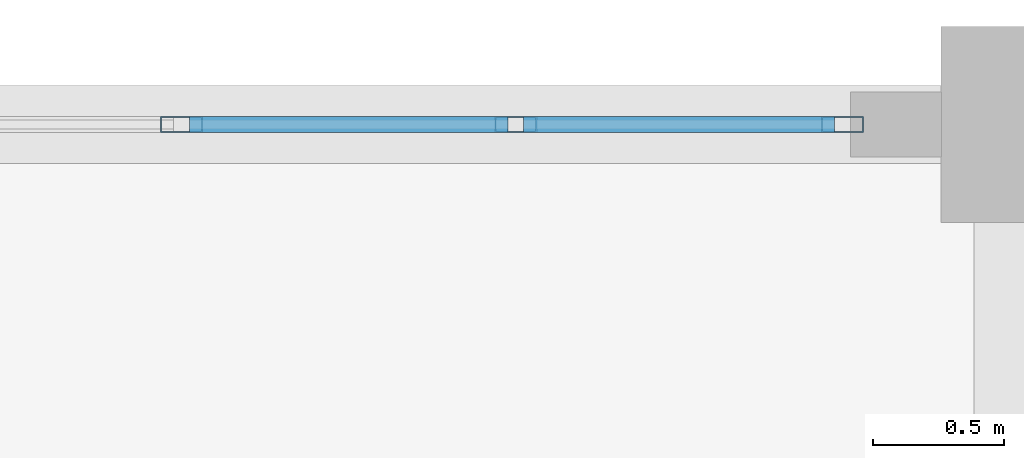
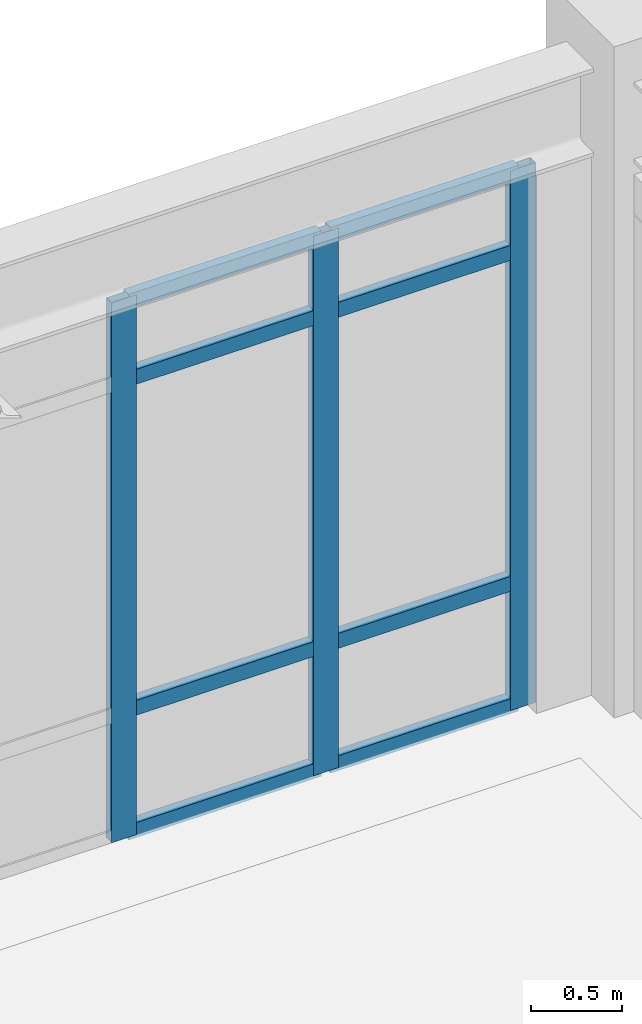
# One storey, part 32 of 61: 11 members, 1 element without a shape of its own.
"""IFC4 building model written with IfcOpenShell, lengths in metres."""

from ifc_helpers import new_model, si_unit, direction, frame, origin, origin_2d, place, context, subcontext, project, spatial, hollow_rectangle, extrude, material, layer, layer_set, material_profile, profile_set, type_object, element, aggregate, save


model = new_model("IFC4")

# Units and contexts
model_context = context("Model", 3, precision=1e-05, world=origin(), true_north=direction((0.0, 1.0)))
body_context = subcontext(model_context, "Body", "Model", "MODEL_VIEW")
ifc_project = project(units=[si_unit("LENGTHUNIT", "METRE"), si_unit("AREAUNIT", "SQUARE_METRE"), si_unit("VOLUMEUNIT", "CUBIC_METRE"), si_unit("PLANEANGLEUNIT", "RADIAN"), si_unit("MASSUNIT", "GRAM", prefix="KILO")], contexts=[model_context])

# Site, building, storey
site_placement = place(None, origin())
site = spatial("IfcSite", under=ifc_project, at=site_placement, CompositionType="ELEMENT")
building_placement = place(site_placement, origin())
building = spatial("IfcBuilding", under=site, at=building_placement, Name="Fikremerkos Civic Library", CompositionType="ELEMENT")
storey_placement = place(building_placement, frame((0.0, 0.0, 14.39990234375)))
storey = spatial("IfcBuildingStorey", under=building, at=storey_placement, Name="L03", CompositionType="ELEMENT", Elevation=14.39990234375)

# Curtain wall, members
ifc_material = material(Name="Anodized aluminium Frame", Category="aluminium")
ifc_layer = layer(ifc_material, 0.159912109375, Name="Anodized aluminium Frame")
ifc_layer_set = layer_set([ifc_layer], Name="Anodized aluminium Frame")
curtain_wall_type = type_object("IfcCurtainWallType", Name="Unitised curtain wall CW-06 4200x4100", PredefinedType="USERDEFINED", material=ifc_layer_set)
curtain_wall_placement = place(storey_placement, origin())
curtain_wall = element("IfcCurtainWall", 1, at=curtain_wall_placement, inside=storey, type_object=curtain_wall_type, Name="Unitised curtain wall CW-06 L03 #204", ObjectType="UNITISED CURTAIN WALL", PredefinedType="USERDEFINED")
ifc_material_profile_1 = material_profile(ifc_material, hollow_rectangle(XDim=0.06005859375, YDim=0.159912109375, WallThickness=0.00390625, at=origin_2d()), Name="ALU 160x60x4")
ifc_profile_set_1 = profile_set([ifc_material_profile_1], Name="Anodized aluminium Frame")
member_type_1 = type_object("IfcMemberType", Name="Curtain mullion CWM-02 ALU 160x60x4", PredefinedType="MULLION", material=ifc_profile_set_1)
member_1_placement = place(storey_placement, frame((97.014892578125, 48.0, 0.0), z_axis=(0.0, 0.0, 1.0), x_axis=(0.0, 1.0, 0.0)))
member_1 = element("IfcMember", 2, at=member_1_placement, type_object=member_type_1, Name="CW-06 mullion 2", PredefinedType="MULLION", context=body_context, shape_type="SweptSolid", body=[
    extrude(hollow_rectangle(XDim=0.06005859375, YDim=0.159912109375, WallThickness=0.00390625, at=origin_2d()), origin(), (0.0, 0.0, 1.0), 3.6201171875),
])
member_2_placement = place(storey_placement, frame((98.2958984375, 48.0, 0.0), z_axis=(0.0, 0.0, 1.0), x_axis=(0.0, 1.0, 0.0)))
member_2 = element("IfcMember", 3, at=member_2_placement, type_object=member_type_1, Name="CW-06 mullion 3", PredefinedType="MULLION", context=body_context, shape_type="SweptSolid", body=[
    extrude(hollow_rectangle(XDim=0.06005859375, YDim=0.159912109375, WallThickness=0.00390625, at=origin_2d()), origin(), (0.0, 0.0, 1.0), 3.6201171875),
])
member_3_placement = place(storey_placement, frame((99.547119140625, 48.0, 0.0), z_axis=(0.0, 0.0, 1.0), x_axis=(0.0, 1.0, 0.0)))
member_3 = element("IfcMember", 4, at=member_3_placement, type_object=member_type_1, Name="CW-06 mullion 4", PredefinedType="MULLION", context=body_context, shape_type="SweptSolid", body=[
    extrude(hollow_rectangle(XDim=0.06005859375, YDim=0.159912109375, WallThickness=0.00390625, at=origin_2d()), origin(), (0.0, 0.0, 1.0), 3.6201171875),
])
ifc_material_profile_2 = material_profile(ifc_material, hollow_rectangle(XDim=0.06005859375, YDim=0.10009765625, WallThickness=0.00390625, at=origin_2d()), Name="ALU 100x60x4")
ifc_profile_set_2 = profile_set([ifc_material_profile_2], Name="Anodized aluminium Frame")
member_type_2 = type_object("IfcMemberType", Name="Curtain transom CWT-03 ALU 100x60x4", PredefinedType="USERDEFINED", material=ifc_profile_set_2)
member_4_placement = place(storey_placement, frame((97.044921875, 48.0, 0.030029296875), z_axis=(1.0, 0.0, 0.0), x_axis=(0.0, 1.0, 0.0)))
member_4 = element("IfcMember", 5, at=member_4_placement, type_object=member_type_2, Name="CW-06 transom 2.1", ObjectType="TRANSOM", PredefinedType="USERDEFINED", context=body_context, shape_type="SweptSolid", body=[
    extrude(hollow_rectangle(XDim=0.06005859375, YDim=0.10009765625, WallThickness=0.00390625, at=origin_2d()), origin(), (0.0, 0.0, 1.0), 1.22119140625),
])
member_5_placement = place(storey_placement, frame((97.044921875, 48.0, 0.85009765625), z_axis=(1.0, 0.0, 0.0), x_axis=(0.0, 1.0, 0.0)))
member_5 = element("IfcMember", 6, at=member_5_placement, type_object=member_type_2, Name="CW-06 transom 2.2", ObjectType="TRANSOM", PredefinedType="USERDEFINED", context=body_context, shape_type="SweptSolid", body=[
    extrude(hollow_rectangle(XDim=0.06005859375, YDim=0.10009765625, WallThickness=0.00390625, at=origin_2d()), origin(), (0.0, 0.0, 1.0), 1.22119140625),
])
member_6_placement = place(storey_placement, frame((97.044921875, 48.0, 3.070068359375), z_axis=(1.0, 0.0, 0.0), x_axis=(0.0, 1.0, 0.0)))
member_6 = element("IfcMember", 7, at=member_6_placement, type_object=member_type_2, Name="CW-06 transom 2.3", ObjectType="TRANSOM", PredefinedType="USERDEFINED", context=body_context, shape_type="SweptSolid", body=[
    extrude(hollow_rectangle(XDim=0.06005859375, YDim=0.10009765625, WallThickness=0.00390625, at=origin_2d()), origin(), (0.0, 0.0, 1.0), 1.22119140625),
])
member_7_placement = place(storey_placement, frame((97.044921875, 48.0, 3.590087890625), z_axis=(1.0, 0.0, 0.0), x_axis=(0.0, 1.0, 0.0)))
member_7 = element("IfcMember", 8, at=member_7_placement, type_object=member_type_2, Name="CW-06 transom 2.4", ObjectType="TRANSOM", PredefinedType="USERDEFINED", context=body_context, shape_type="SweptSolid", body=[
    extrude(hollow_rectangle(XDim=0.06005859375, YDim=0.10009765625, WallThickness=0.00390625, at=origin_2d()), origin(), (0.0, 0.0, 1.0), 1.22119140625),
])
member_8_placement = place(storey_placement, frame((98.325927734375, 48.0, 0.030029296875), z_axis=(1.0, 0.0, 0.0), x_axis=(0.0, 1.0, 0.0)))
member_8 = element("IfcMember", 9, at=member_8_placement, type_object=member_type_2, Name="CW-06 transom 3.1", ObjectType="TRANSOM", PredefinedType="USERDEFINED", context=body_context, shape_type="SweptSolid", body=[
    extrude(hollow_rectangle(XDim=0.06005859375, YDim=0.10009765625, WallThickness=0.00390625, at=origin_2d()), origin(), (0.0, 0.0, 1.0), 1.191162109375),
])
member_9_placement = place(storey_placement, frame((98.325927734375, 48.0, 0.85009765625), z_axis=(1.0, 0.0, 0.0), x_axis=(0.0, 1.0, 0.0)))
member_9 = element("IfcMember", 10, at=member_9_placement, type_object=member_type_2, Name="CW-06 transom 3.2", ObjectType="TRANSOM", PredefinedType="USERDEFINED", context=body_context, shape_type="SweptSolid", body=[
    extrude(hollow_rectangle(XDim=0.06005859375, YDim=0.10009765625, WallThickness=0.00390625, at=origin_2d()), origin(), (0.0, 0.0, 1.0), 1.191162109375),
])
member_10_placement = place(storey_placement, frame((98.325927734375, 48.0, 3.070068359375), z_axis=(1.0, 0.0, 0.0), x_axis=(0.0, 1.0, 0.0)))
member_10 = element("IfcMember", 11, at=member_10_placement, type_object=member_type_2, Name="CW-06 transom 3.3", ObjectType="TRANSOM", PredefinedType="USERDEFINED", context=body_context, shape_type="SweptSolid", body=[
    extrude(hollow_rectangle(XDim=0.06005859375, YDim=0.10009765625, WallThickness=0.00390625, at=origin_2d()), origin(), (0.0, 0.0, 1.0), 1.191162109375),
])
member_11_placement = place(storey_placement, frame((98.325927734375, 48.0, 3.590087890625), z_axis=(1.0, 0.0, 0.0), x_axis=(0.0, 1.0, 0.0)))
member_11 = element("IfcMember", 12, at=member_11_placement, type_object=member_type_2, Name="CW-06 transom 3.4", ObjectType="TRANSOM", PredefinedType="USERDEFINED", context=body_context, shape_type="SweptSolid", body=[
    extrude(hollow_rectangle(XDim=0.06005859375, YDim=0.10009765625, WallThickness=0.00390625, at=origin_2d()), origin(), (0.0, 0.0, 1.0), 1.191162109375),
])
aggregate(curtain_wall, [member_1, member_2, member_3, member_4, member_5, member_6, member_7, member_8, member_9, member_10, member_11])

save(model, "model.ifc")
